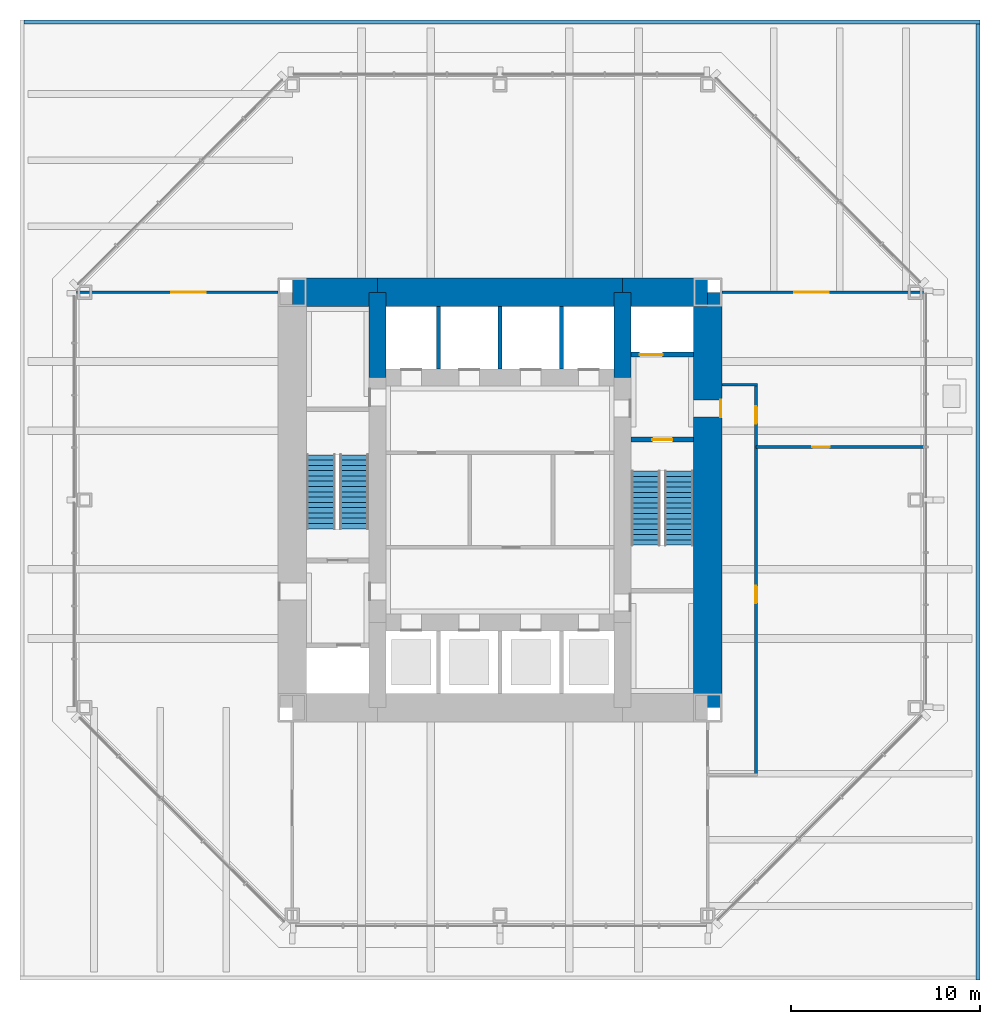
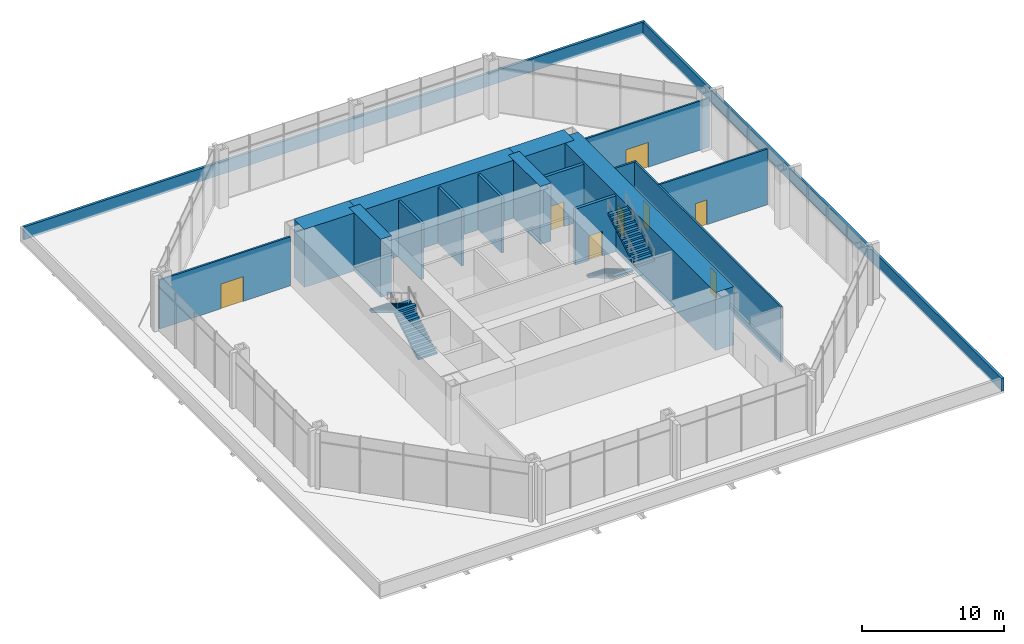
# One storey, part 9 of 11: 18 walls, 8 doors, 4 stair flights, 8 openings, 2 elements without a shape of their own.
"""IFC4 building model written with IfcOpenShell, lengths in metres."""

import ifcopenshell
import ifcopenshell.guid

model = None  # the IFC model being written
_history = None  # IfcOwnerHistory: only IFC2X3 demands one
_inside = {}  # id of a spatial element -> (the spatial element, [elements in it])
_under = {}  # id of a project, library or spatial element -> (it, [spatial elements below it])
_declared = {}  # id of a project -> (the project, [libraries it declares])
_typed = {}  # id of a type object -> (the type object, [elements of that type])
_made_of = {}  # id of a material, layer set ... -> (it, [elements and type objects made of it])


def new_model(schema):
    """Start an empty IFC model of exactly this schema.

    Asked for "IFC4X3", IfcOpenShell would pick the latest addendum, in which some entities
    have other attributes; the version numbers below select the first issue.
    IFC2X3 requires an IfcOwnerHistory on every rooted entity: one is made here for all.
    """
    global model, _history
    if schema == "IFC4X3":
        model = ifcopenshell.file(schema_version=(4, 3, 0, 0))
    else:
        model = ifcopenshell.file(schema=schema)
    _inside.clear()
    _under.clear()
    _declared.clear()
    _typed.clear()
    _made_of.clear()
    _history = None
    if model.schema == "IFC2X3":
        org = make("IfcOrganization", Name="unknown")
        user = make(
            "IfcPersonAndOrganization",
            ThePerson=make("IfcPerson", FamilyName="unknown"),
            TheOrganization=org,
        )
        app = make(
            "IfcApplication",
            ApplicationDeveloper=org,
            Version="unknown",
            ApplicationFullName="unknown",
            ApplicationIdentifier="unknown",
        )
        _history = make(
            "IfcOwnerHistory",
            OwningUser=user,
            OwningApplication=app,
            ChangeAction="ADDED",
            CreationDate=0,
        )
    return model


def make(cls, **values):
    """One entity of the class cls with the attributes given. An attribute that is None is left unset."""
    return model.create_entity(
        cls, **{name: value for name, value in values.items() if value is not None}
    )


def rooted(cls, **values):
    """An entity with a GlobalId (a new one), such as an element, a storey or a relation."""
    return make(cls, GlobalId=ifcopenshell.guid.new(), OwnerHistory=_history, **values)


def si_unit(unit_type, name, prefix=None):
    """IfcSIUnit, for example si_unit("LENGTHUNIT", "METRE", prefix="MILLI")."""
    return make("IfcSIUnit", UnitType=unit_type, Prefix=prefix, Name=name)


def assignment(units):
    """IfcUnitAssignment: the units of a project."""
    return None if units is None else make("IfcUnitAssignment", Units=units)


def point(xyz):
    """IfcCartesianPoint."""
    return None if xyz is None else make("IfcCartesianPoint", Coordinates=xyz)


def direction(xyz):
    """IfcDirection."""
    return None if xyz is None else make("IfcDirection", DirectionRatios=xyz)


def frame(location, z_axis=None, x_axis=None):
    """IfcAxis2Placement3D, a coordinate frame: its origin and axes. An axis left out is left unset."""
    return make(
        "IfcAxis2Placement3D",
        Location=point(location),
        Axis=direction(z_axis),
        RefDirection=direction(x_axis),
    )


def frame_2d(location, x_axis=None):
    """IfcAxis2Placement2D, a coordinate frame in the plane: its origin and x axis."""
    return make(
        "IfcAxis2Placement2D", Location=point(location), RefDirection=direction(x_axis)
    )


def origin():
    """The frame at (0, 0, 0) with its axes left unset."""
    return frame((0.0, 0.0, 0.0))


def place(relative_to, where):
    """IfcLocalPlacement: puts the frame where relative to a parent placement (None: the world)."""
    return make(
        "IfcLocalPlacement", PlacementRelTo=relative_to, RelativePlacement=where
    )


def context(
    kind, dimensions, precision=None, world=None, true_north=None, identifier=None
):
    """IfcGeometricRepresentationContext, for example the 3D "Model" context."""
    return make(
        "IfcGeometricRepresentationContext",
        ContextIdentifier=identifier,
        ContextType=kind,
        CoordinateSpaceDimension=dimensions,
        Precision=precision,
        WorldCoordinateSystem=world,
        TrueNorth=true_north,
    )


def subcontext(parent, identifier, kind, view, scale=None):
    """IfcGeometricRepresentationSubContext, for example "Body" below "Model"."""
    return make(
        "IfcGeometricRepresentationSubContext",
        ContextIdentifier=identifier,
        ContextType=kind,
        ParentContext=parent,
        TargetScale=scale,
        TargetView=view,
    )


def project(units=None, contexts=None):
    """IfcProject with its units and contexts."""
    return rooted(
        "IfcProject",
        Name="project",
        RepresentationContexts=contexts,
        UnitsInContext=assignment(units),
    )


def spatial(cls, under=None, at=None, **own):
    """A site, building, storey or space (cls), placed at a placement, below another one or the project."""
    s = rooted(cls, ObjectPlacement=at, **own)
    if under is not None:
        _under.setdefault(under.id(), (under, []))[1].append(s)
    return s


def polyline(points):
    """IfcPolyline through the points."""
    return make("IfcPolyline", Points=[point(p) for p in points])


def profile(cls, at=None, kind="AREA", **sizes):
    """A parametric profile (cls). Its sizes go by their IFC names, for example OverallWidth=200.0."""
    return make(cls, ProfileType=kind, Position=at, **sizes)


def rectangle(**sizes):
    """IfcRectangleProfileDef."""
    return profile("IfcRectangleProfileDef", **sizes)


def outline(outer, holes=None, kind="AREA"):
    """IfcArbitraryClosedProfileDef: a profile drawn as a closed curve; with holes, ...WithVoids."""
    if holes is None:
        return make("IfcArbitraryClosedProfileDef", ProfileType=kind, OuterCurve=outer)
    return make(
        "IfcArbitraryProfileDefWithVoids",
        ProfileType=kind,
        OuterCurve=outer,
        InnerCurves=holes,
    )


def extrude(swept, where, along, depth):
    """IfcExtrudedAreaSolid: the profile swept, set in the frame where, extruded along a direction by depth."""
    return make(
        "IfcExtrudedAreaSolid",
        SweptArea=swept,
        Position=where,
        ExtrudedDirection=direction(along),
        Depth=depth,
    )


def shape(context_of_items, identifier, shape_type, items):
    """IfcShapeRepresentation: the items that make up one representation, for example the "Body"."""
    return make(
        "IfcShapeRepresentation",
        ContextOfItems=context_of_items,
        RepresentationIdentifier=identifier,
        RepresentationType=shape_type,
        Items=items,
    )


def material(Name=None, Category=None):
    """IfcMaterial."""
    return make("IfcMaterial", Name=Name, Category=Category)


def layer(
    of_material, thickness, ventilated=None, Name=None, Category=None, Priority=None
):
    """IfcMaterialLayer: one layer of a wall or slab, of a material (None: an air gap)."""
    return make(
        "IfcMaterialLayer",
        Material=of_material,
        LayerThickness=thickness,
        IsVentilated=ventilated,
        Name=Name,
        Category=Category,
        Priority=Priority,
    )


def layer_set(layers, Name=None):
    """IfcMaterialLayerSet."""
    return make("IfcMaterialLayerSet", MaterialLayers=layers, LayerSetName=Name)


def made_of(thing, what):
    """Note that an element or type object is made of a material, layer set ...; save() writes the relation."""
    if what is not None:
        _made_of.setdefault(what.id(), (what, []))[1].append(thing)
    return thing


def type_object(cls, material=None, **own):
    """A type object (cls), such as IfcWallType, which elements share."""
    return made_of(rooted(cls, **own), material)


def element(
    cls,
    number,
    at=None,
    inside=None,
    cuts=None,
    type_object=None,
    material=None,
    context=None,
    identifier="Body",
    shape_type=None,
    held_by="IfcProductDefinitionShape",
    body=None,
    shapes=None,
    **own,
):
    """One element of the class cls, such as IfcWall. Its Tag is "e" and its number.

    at: its placement. inside: the storey or other place that contains it. cuts: it is an
    opening in that element (IfcRelVoidsElement). A single representation is given by context,
    identifier, shape_type and body (its items); several are given by shapes. held_by: the class
    of the entity that holds the representations. save() writes the other relations.
    """
    e = rooted(cls, Tag="e%d" % number, ObjectPlacement=at, **own)
    if body is not None:
        shapes = [shape(context, identifier, shape_type, body)]
    if shapes is not None:
        e.Representation = make(held_by, Representations=shapes)
    if inside is not None:
        _inside.setdefault(inside.id(), (inside, []))[1].append(e)
    if cuts is not None:
        rooted(
            "IfcRelVoidsElement", RelatingBuildingElement=cuts, RelatedOpeningElement=e
        )
    if type_object is not None:
        _typed.setdefault(type_object.id(), (type_object, []))[1].append(e)
    return made_of(e, material)


def fill(opening, filler):
    """IfcRelFillsElement: the door or window that sits in an opening."""
    return rooted(
        "IfcRelFillsElement",
        RelatingOpeningElement=opening,
        RelatedBuildingElement=filler,
    )


def aggregate(whole, parts):
    """IfcRelAggregates: a whole, such as a stair, and the parts it consists of."""
    return rooted("IfcRelAggregates", RelatingObject=whole, RelatedObjects=parts)


def save(model, path):
    """Write the relations noted so far, then the file.

    IfcRelAggregates (storeys below a building ...), IfcRelContainedInSpatialStructure (elements
    in a storey), IfcRelDefinesByType, IfcRelAssociatesMaterial and IfcRelDeclares: one each for
    every whole, place, type object, material and project.
    """
    for whole, parts in _under.values():
        aggregate(whole, parts)
    for where, things in _inside.values():
        rooted(
            "IfcRelContainedInSpatialStructure",
            RelatedElements=things,
            RelatingStructure=where,
        )
    for kind, things in _typed.values():
        rooted("IfcRelDefinesByType", RelatedObjects=things, RelatingType=kind)
    for what, things in _made_of.values():
        rooted("IfcRelAssociatesMaterial", RelatedObjects=things, RelatingMaterial=what)
    for by, libraries in _declared.values():
        rooted("IfcRelDeclares", RelatingContext=by, RelatedDefinitions=libraries)
    model.write(path)


model = new_model("IFC4")

# Units and contexts
model_context = context("Model", 3, precision=1e-05, world=origin(), true_north=direction((0.0, 1.0)))
body_context = subcontext(model_context, "Body", "Model", "MODEL_VIEW")
ifc_project = project(units=[si_unit("LENGTHUNIT", "METRE"), si_unit("AREAUNIT", "SQUARE_METRE"), si_unit("VOLUMEUNIT", "CUBIC_METRE"), si_unit("PLANEANGLEUNIT", "RADIAN"), si_unit("MASSUNIT", "GRAM", prefix="KILO")], contexts=[model_context])

# Site, building, storey
site_placement = place(None, origin())
site = spatial("IfcSite", under=ifc_project, at=site_placement, CompositionType="ELEMENT")
building_placement = place(site_placement, origin())
building = spatial("IfcBuilding", under=site, at=building_placement, Name="Trevanion Tower", CompositionType="ELEMENT")
storey_placement = place(building_placement, frame((0.0, 0.0, 95.800048828125)))
storey = spatial("IfcBuildingStorey", under=building, at=storey_placement, Name="L22", CompositionType="ELEMENT", Elevation=95.800048828125)

# Wall, opening, door
ifc_material_1 = material(Name="Concrete 10,000 psi", Category="concrete")
ifc_layer_1 = layer(ifc_material_1, 1.5)
ifc_layer_set_1 = layer_set([ifc_layer_1], Name="CW1 core wall 1500")
wall_type_1 = type_object("IfcWallType", Name="CW1 core wall 1500", PredefinedType="SHEAR", material=ifc_layer_set_1)
wall_1_placement = place(storey_placement, frame((11.0, -11.0, 0.0), z_axis=(0.0, 0.0, 1.0), x_axis=(0.0, 1.0, 0.0)))
wall_1 = element("IfcWall", 1, at=wall_1_placement, inside=storey, type_object=wall_type_1, Name="CW1 CE L22", PredefinedType="SHEAR", context=body_context, shape_type="SweptSolid", body=[
    extrude(rectangle(XDim=22.0, YDim=1.5, at=frame_2d((11.0, 0.0))), origin(), (0.0, 0.0, 1.0), 5.0),
])
opening_1_placement = place(wall_1_placement, frame((15.392578125, 0.0, 0.0)))
opening_1 = element("IfcOpeningElement", 2, at=opening_1_placement, cuts=wall_1, Name="Opening 22-001", PredefinedType="OPENING", context=body_context, shape_type="SweptSolid", body=[
    extrude(rectangle(XDim=0.9150390625, YDim=2.134033203125, at=frame_2d((0.45751953125, 1.06689453125))), frame((0.0, 0.760009765625, 0.0), z_axis=(0.0, -1.0, 0.0), x_axis=(1.0, 0.0, 0.0)), (0.0, 0.0, 1.0), 1.52001953125),
])
ifc_material_2 = material(Name="Hollow metal, fire rated", Category="steel")
door_type_1 = type_object("IfcDoorType", Name="D3 fire lift lobby door", OperationType="SINGLE_SWING_RIGHT", PredefinedType="DOOR", material=ifc_material_2)
door_1_placement = place(opening_1_placement, origin())
door_1 = element("IfcDoor", 3, at=door_1_placement, inside=storey, type_object=door_type_1, Name="Door 22-001", OperationType="SINGLE_SWING_RIGHT", OverallHeight=2.134033203125, OverallWidth=0.9150390625, PredefinedType="DOOR", context=body_context, shape_type="SweptSolid", body=[
    extrude(rectangle(XDim=0.9150390625, YDim=2.134033203125, at=frame_2d((0.45751953125, 1.06689453125))), frame((0.0, -0.6748046875, 0.0), z_axis=(0.0, -1.0, 0.0), x_axis=(1.0, 0.0, 0.0)), (0.0, 0.0, 1.0), 0.050048828125),
])
fill(opening_1, door_1)

# Walls
wall_2_placement = place(storey_placement, frame((11.0, 11.0, 0.0), z_axis=(0.0, 0.0, 1.0), x_axis=(-1.0, 0.0, 0.0)))
element("IfcWall", 4, at=wall_2_placement, inside=storey, type_object=wall_type_1, Name="CW1 CN1 L22", PredefinedType="SHEAR", context=body_context, shape_type="SweptSolid", body=[
    extrude(rectangle(XDim=4.5, YDim=1.5, at=frame_2d((2.25, 0.0))), origin(), (0.0, 0.0, 1.0), 5.0),
])
wall_3_placement = place(storey_placement, frame((6.5, 11.0, 0.0), z_axis=(0.0, 0.0, 1.0), x_axis=(-1.0, 0.0, 0.0)))
element("IfcWall", 5, at=wall_3_placement, inside=storey, type_object=wall_type_1, Name="CW1 CN2 L22", PredefinedType="SHEAR", context=body_context, shape_type="SweptSolid", body=[
    extrude(rectangle(XDim=13.0, YDim=1.5, at=frame_2d((6.5, 0.0))), origin(), (0.0, 0.0, 1.0), 5.0),
])
wall_4_placement = place(storey_placement, frame((-6.5, 11.0, 0.0), z_axis=(0.0, 0.0, 1.0), x_axis=(-1.0, 0.0, 0.0)))
element("IfcWall", 6, at=wall_4_placement, inside=storey, type_object=wall_type_1, Name="CW1 CN3 L22", PredefinedType="SHEAR", context=body_context, shape_type="SweptSolid", body=[
    extrude(rectangle(XDim=4.5, YDim=1.5, at=frame_2d((2.25, 0.0))), origin(), (0.0, 0.0, 1.0), 5.0),
])
ifc_material_3 = material(Name="Concrete 10,000 psi", Category="concrete")
ifc_layer_2 = layer(ifc_material_3, 0.89990234375)
ifc_layer_set_2 = layer_set([ifc_layer_2], Name="CW2 core wall 900")
wall_type_2 = type_object("IfcWallType", Name="CW2 core wall 900", PredefinedType="SHEAR", material=ifc_layer_set_2)
for number, where, z_axis, x_axis, name in (
    (7, (6.5, 6.5, 0.0), (0.0, 0.0, 1.0), (0.0, 1.0, 0.0), "CW2 RE3 L22"),
    (8, (-6.5, 11.0, 0.0), (0.0, 0.0, 1.0), (0.0, -1.0, 0.0), "CW2 RW1 L22"),
):
    element("IfcWall", number, at=place(storey_placement, frame(where, z_axis=z_axis, x_axis=x_axis)), inside=storey, type_object=wall_type_2, Name=name, PredefinedType="SHEAR", context=body_context, shape_type="SweptSolid", body=[
        extrude(rectangle(XDim=4.5, YDim=0.89990234375, at=frame_2d((2.25, 0.0))), origin(), (0.0, 0.0, 1.0), 5.0),
    ])
ifc_material_4 = material(Name="Reinforced concrete parapet faced in bronze metal coping", Category="concrete")
ifc_layer_3 = layer(ifc_material_4, 0.199951171875)
ifc_layer_set_3 = layer_set([ifc_layer_3], Name="PP1 parapet 200")
wall_type_3 = type_object("IfcWallType", Name="PP1 parapet 200", PredefinedType="PARAPET", material=ifc_layer_set_3)
for number, where, z_axis, x_axis, name in (
    (9, (-25.219970703125, 25.320068359375, 0.0), (0.0, 0.0, 1.0), (1.0, 0.0, 0.0), "PP1 L22 3"),
    (10, (25.320068359375, 25.219970703125, 0.0), (0.0, 0.0, 1.0), (0.0, -1.0, 0.0), "PP1 L22 4"),
):
    element("IfcWall", number, at=place(storey_placement, frame(where, z_axis=z_axis, x_axis=x_axis)), inside=storey, type_object=wall_type_3, Name=name, PredefinedType="PARAPET", context=body_context, shape_type="SweptSolid", body=[
        extrude(rectangle(XDim=50.639892578125, YDim=0.199951171875, at=frame_2d((25.31982421875, 0.0))), origin(), (0.0, 0.0, 1.0), 1.099853515625),
    ])

# Wall, opening, door
ifc_material_5 = material(Name="Gypsum board on steel studs", Category="steel")
ifc_layer_4 = layer(ifc_material_5, 0.14990234375)
ifc_layer_set_4 = layer_set([ifc_layer_4], Name="PT1 partition 150")
wall_type_4 = type_object("IfcWallType", Name="PT1 partition 150", PredefinedType="PARTITIONING", material=ifc_layer_set_4)
wall_5_placement = place(storey_placement, frame((11.75, 11.0, 0.0), z_axis=(0.0, 0.0, 1.0), x_axis=(1.0, 0.0, 0.0)))
wall_5 = element("IfcWall", 11, at=wall_5_placement, inside=storey, type_object=wall_type_4, Name="PT1 L22 SL3", PredefinedType="PARTITIONING", context=body_context, shape_type="SweptSolid", body=[
    extrude(rectangle(XDim=10.6650390625, YDim=0.14990234375, at=frame_2d((5.33251953125, 0.0))), origin(), (0.0, 0.0, 1.0), 4.225830078125),
])
opening_2_placement = place(wall_5_placement, frame((3.8349609375, 0.0, 0.0)))
opening_2 = element("IfcOpeningElement", 12, at=opening_2_placement, cuts=wall_5, Name="Opening 22-024", PredefinedType="OPENING", context=body_context, shape_type="SweptSolid", body=[
    extrude(rectangle(XDim=1.830078125, YDim=2.134033203125, at=frame_2d((0.9150390625, 1.06689453125))), frame((0.0, 0.0849609375, 0.0), z_axis=(0.0, -1.0, 0.0), x_axis=(1.0, 0.0, 0.0)), (0.0, 0.0, 1.0), 0.169921875),
])
ifc_material_6 = material(Name="Timber veneer, solid core", Category="wood")
door_type_2 = type_object("IfcDoorType", Name="D20 lounge double door", OperationType="DOUBLE_DOOR_DOUBLE_SWING", PredefinedType="DOOR", material=ifc_material_6)
door_2_placement = place(opening_2_placement, origin())
door_2 = element("IfcDoor", 13, at=door_2_placement, inside=storey, type_object=door_type_2, Name="Door 22-024", OperationType="DOUBLE_DOOR_DOUBLE_SWING", OverallHeight=2.134033203125, OverallWidth=1.830078125, PredefinedType="DOOR", context=body_context, shape_type="SweptSolid", body=[
    extrude(rectangle(XDim=1.830078125, YDim=2.134033203125, at=frame_2d((0.9150390625, 1.06689453125))), frame((0.0, 0.02490234375, 0.0), z_axis=(0.0, -1.0, 0.0), x_axis=(1.0, 0.0, 0.0)), (0.0, 0.0, 1.0), 0.050048828125),
])
fill(opening_2, door_2)

wall_6_placement = place(storey_placement, frame((-11.75, 11.0, 0.0), z_axis=(0.0, 0.0, 1.0), x_axis=(-1.0, 0.0, 0.0)))
wall_6 = element("IfcWall", 14, at=wall_6_placement, inside=storey, type_object=wall_type_4, Name="PT1 L22 SL4", PredefinedType="PARTITIONING", context=body_context, shape_type="SweptSolid", body=[
    extrude(rectangle(XDim=10.6650390625, YDim=0.14990234375, at=frame_2d((5.33251953125, 0.0))), origin(), (0.0, 0.0, 1.0), 4.225830078125),
])
opening_3_placement = place(wall_6_placement, frame((3.8349609375, 0.0, 0.0)))
opening_3 = element("IfcOpeningElement", 15, at=opening_3_placement, cuts=wall_6, Name="Opening 22-025", PredefinedType="OPENING", context=body_context, shape_type="SweptSolid", body=[
    extrude(rectangle(XDim=1.830078125, YDim=2.134033203125, at=frame_2d((0.9150390625, 1.06689453125))), frame((0.0, 0.0849609375, 0.0), z_axis=(0.0, -1.0, 0.0), x_axis=(1.0, 0.0, 0.0)), (0.0, 0.0, 1.0), 0.169921875),
])
door_3_placement = place(opening_3_placement, origin())
door_3 = element("IfcDoor", 16, at=door_3_placement, inside=storey, type_object=door_type_2, Name="Door 22-025", OperationType="DOUBLE_DOOR_DOUBLE_SWING", OverallHeight=2.134033203125, OverallWidth=1.830078125, PredefinedType="DOOR", context=body_context, shape_type="SweptSolid", body=[
    extrude(rectangle(XDim=1.830078125, YDim=2.134033203125, at=frame_2d((0.9150390625, 1.06689453125))), frame((0.0, 0.02490234375, 0.0), z_axis=(0.0, -1.0, 0.0), x_axis=(1.0, 0.0, 0.0)), (0.0, 0.0, 1.0), 0.050048828125),
])
fill(opening_3, door_3)

# Wall, openings, doors
wall_7_placement = place(storey_placement, frame((13.550048828125, -14.550048828125, 0.0), z_axis=(0.0, 0.0, 1.0), x_axis=(0.0, 1.0, 0.0)))
wall_7 = element("IfcWall", 17, at=wall_7_placement, inside=storey, type_object=wall_type_4, Name="PT1 L22 SC1", PredefinedType="PARTITIONING", context=body_context, shape_type="SweptSolid", body=[
    extrude(rectangle(XDim=20.650146484375, YDim=0.14990234375, at=frame_2d((10.3251953125, 0.0))), origin(), (0.0, 0.0, 1.0), 4.81005859375),
])
opening_4_placement = place(wall_7_placement, frame((9.092529296875, 0.0, 0.0)))
opening_4 = element("IfcOpeningElement", 18, at=opening_4_placement, cuts=wall_7, Name="Opening 22-027", PredefinedType="OPENING", context=body_context, shape_type="SweptSolid", body=[
    extrude(rectangle(XDim=0.9150390625, YDim=2.134033203125, at=frame_2d((0.45751953125, 1.06689453125))), frame((0.0, 0.0849609375, 0.0), z_axis=(0.0, -1.0, 0.0), x_axis=(1.0, 0.0, 0.0)), (0.0, 0.0, 1.0), 0.169921875),
])
opening_5_placement = place(wall_7_placement, frame((18.592529296875, 0.0, 0.0)))
opening_5 = element("IfcOpeningElement", 19, at=opening_5_placement, cuts=wall_7, Name="Opening 22-028", PredefinedType="OPENING", context=body_context, shape_type="SweptSolid", body=[
    extrude(rectangle(XDim=0.9150390625, YDim=2.134033203125, at=frame_2d((0.45751953125, 1.06689453125))), frame((0.0, 0.0849609375, 0.0), z_axis=(0.0, -1.0, 0.0), x_axis=(1.0, 0.0, 0.0)), (0.0, 0.0, 1.0), 0.169921875),
])
ifc_material_7 = material(Name="Timber veneer, solid core", Category="wood")
door_type_3 = type_object("IfcDoorType", Name="D1 office and meeting room door", OperationType="SINGLE_SWING_LEFT", PredefinedType="DOOR", material=ifc_material_7)
door_4_placement = place(opening_4_placement, origin())
door_4 = element("IfcDoor", 20, at=door_4_placement, inside=storey, type_object=door_type_3, Name="Door 22-027", OperationType="SINGLE_SWING_LEFT", OverallHeight=2.134033203125, OverallWidth=0.9150390625, PredefinedType="DOOR", context=body_context, shape_type="SweptSolid", body=[
    extrude(rectangle(XDim=0.9150390625, YDim=2.134033203125, at=frame_2d((0.45751953125, 1.06689453125))), frame((0.0, 0.02490234375, 0.0), z_axis=(0.0, -1.0, 0.0), x_axis=(1.0, 0.0, 0.0)), (0.0, 0.0, 1.0), 0.050048828125),
])
fill(opening_4, door_4)
door_5_placement = place(opening_5_placement, origin())
door_5 = element("IfcDoor", 21, at=door_5_placement, inside=storey, type_object=door_type_3, Name="Door 22-028", OperationType="SINGLE_SWING_LEFT", OverallHeight=2.134033203125, OverallWidth=0.9150390625, PredefinedType="DOOR", context=body_context, shape_type="SweptSolid", body=[
    extrude(rectangle(XDim=0.9150390625, YDim=2.134033203125, at=frame_2d((0.45751953125, 1.06689453125))), frame((0.0, 0.02490234375, 0.0), z_axis=(0.0, -1.0, 0.0), x_axis=(1.0, 0.0, 0.0)), (0.0, 0.0, 1.0), 0.050048828125),
])
fill(opening_5, door_5)

# Wall
wall_8_placement = place(storey_placement, frame((11.75, 6.10009765625, 0.0), z_axis=(0.0, 0.0, 1.0), x_axis=(1.0, 0.0, 0.0)))
element("IfcWall", 22, at=wall_8_placement, inside=storey, type_object=wall_type_4, Name="PT1 L22 SC3", PredefinedType="PARTITIONING", context=body_context, shape_type="SweptSolid", body=[
    extrude(rectangle(XDim=1.875, YDim=0.14990234375, at=frame_2d((0.9375, 0.0))), origin(), (0.0, 0.0, 1.0), 4.81005859375),
])

# Wall, opening, door
wall_9_placement = place(storey_placement, frame((13.550048828125, 2.806884765625, 0.0), z_axis=(0.0, 0.0, 1.0), x_axis=(1.0, 0.0, 0.0)))
wall_9 = element("IfcWall", 23, at=wall_9_placement, inside=storey, type_object=wall_type_4, Name="PT1 L22 SL5", PredefinedType="PARTITIONING", context=body_context, shape_type="SweptSolid", body=[
    extrude(rectangle(XDim=8.864990234375, YDim=0.14990234375, at=frame_2d((4.4326171875, 0.0))), origin(), (0.0, 0.0, 1.0), 4.81005859375),
])
opening_6_placement = place(wall_9_placement, frame((2.992431640625, 0.0, 0.0)))
opening_6 = element("IfcOpeningElement", 24, at=opening_6_placement, cuts=wall_9, Name="Opening 22-029", PredefinedType="OPENING", context=body_context, shape_type="SweptSolid", body=[
    extrude(rectangle(XDim=0.9150390625, YDim=2.134033203125, at=frame_2d((0.45751953125, 1.06689453125))), frame((0.0, 0.0849609375, 0.0), z_axis=(0.0, -1.0, 0.0), x_axis=(1.0, 0.0, 0.0)), (0.0, 0.0, 1.0), 0.169921875),
])
door_6_placement = place(opening_6_placement, origin())
door_6 = element("IfcDoor", 25, at=door_6_placement, inside=storey, type_object=door_type_3, Name="Door 22-029", OperationType="SINGLE_SWING_LEFT", OverallHeight=2.134033203125, OverallWidth=0.9150390625, PredefinedType="DOOR", context=body_context, shape_type="SweptSolid", body=[
    extrude(rectangle(XDim=0.9150390625, YDim=2.134033203125, at=frame_2d((0.45751953125, 1.06689453125))), frame((0.0, 0.02490234375, 0.0), z_axis=(0.0, -1.0, 0.0), x_axis=(1.0, 0.0, 0.0)), (0.0, 0.0, 1.0), 0.050048828125),
])
fill(opening_6, door_6)

# Walls
ifc_material_8 = material(Name="Concrete masonry, grouted", Category="masonry")
ifc_layer_5 = layer(ifc_material_8, 0.199951171875)
ifc_layer_set_5 = layer_set([ifc_layer_5], Name="PT2 partition 200 2 HR")
wall_type_5 = type_object("IfcWallType", Name="PT2 partition 200 2 HR", PredefinedType="PARTITIONING", material=ifc_layer_set_5)
for number, where, z_axis, x_axis, name in (
    (26, (-3.25, 6.949951171875, 0.0), (0.0, 0.0, 1.0), (0.0, 1.0, 0.0), "PT2 L22 NS0"),
    (27, (0.0, 6.949951171875, 0.0), (0.0, 0.0, 1.0), (0.0, 1.0, 0.0), "PT2 L22 NS1"),
    (28, (3.25, 6.949951171875, 0.0), (0.0, 0.0, 1.0), (0.0, 1.0, 0.0), "PT2 L22 NS2"),
):
    element("IfcWall", number, at=place(storey_placement, frame(where, z_axis=z_axis, x_axis=x_axis)), inside=storey, type_object=wall_type_5, Name=name, PredefinedType="PARTITIONING", context=body_context, shape_type="SweptSolid", body=[
        extrude(rectangle(XDim=3.300048828125, YDim=0.199951171875, at=frame_2d((1.64990234375, 0.0))), origin(), (0.0, 0.0, 1.0), 4.81005859375),
    ])

# Wall, opening, door
ifc_material_9 = material(Name="Concrete masonry, grouted, two-hour", Category="masonry")
ifc_layer_6 = layer(ifc_material_9, 0.25)
ifc_layer_set_6 = layer_set([ifc_layer_6], Name="PT3 partition 250 2 HR")
wall_type_6 = type_object("IfcWallType", Name="PT3 partition 250 2 HR", PredefinedType="PARTITIONING", material=ifc_layer_set_6)
wall_10_placement = place(storey_placement, frame((6.949951171875, 7.699951171875, 0.0), z_axis=(0.0, 0.0, 1.0), x_axis=(1.0, 0.0, 0.0)))
wall_10 = element("IfcWall", 29, at=wall_10_placement, inside=storey, type_object=wall_type_6, Name="PT3 L22 EP3", PredefinedType="PARTITIONING", context=body_context, shape_type="SweptSolid", body=[
    extrude(rectangle(XDim=3.300048828125, YDim=0.25, at=frame_2d((1.64990234375, 0.0))), origin(), (0.0, 0.0, 1.0), 4.81005859375),
])
opening_7_placement = place(wall_10_placement, frame((0.449951171875, 0.0, 0.0)))
opening_7 = element("IfcOpeningElement", 30, at=opening_7_placement, cuts=wall_10, Name="Opening 22-007", PredefinedType="OPENING", context=body_context, shape_type="SweptSolid", body=[
    extrude(rectangle(XDim=1.218994140625, YDim=2.134033203125, at=frame_2d((0.609375, 1.06689453125))), frame((0.0, 0.135009765625, 0.0), z_axis=(0.0, -1.0, 0.0), x_axis=(1.0, 0.0, 0.0)), (0.0, 0.0, 1.0), 0.27001953125),
])
ifc_material_10 = material(Name="Stainless steel, fire rated", Category="steel")
door_type_4 = type_object("IfcDoorType", Name="LD2 fire service lift landing door", OperationType="SLIDING_TO_LEFT", PredefinedType="DOOR", material=ifc_material_10)
door_7_placement = place(opening_7_placement, origin())
door_7 = element("IfcDoor", 31, at=door_7_placement, inside=storey, type_object=door_type_4, Name="Door 22-007", OperationType="SLIDING_TO_LEFT", OverallHeight=2.134033203125, OverallWidth=1.218994140625, PredefinedType="DOOR", context=body_context, shape_type="SweptSolid", body=[
    extrude(rectangle(XDim=1.218994140625, YDim=2.134033203125, at=frame_2d((0.609375, 1.06689453125))), frame((0.0, 0.02490234375, 0.0), z_axis=(0.0, -1.0, 0.0), x_axis=(1.0, 0.0, 0.0)), (0.0, 0.0, 1.0), 0.050048828125),
])
fill(opening_7, door_7)

ifc_material_11 = material(Name="Reinforced masonry, fully grouted", Category="masonry")
ifc_layer_7 = layer(ifc_material_11, 0.25)
ifc_layer_set_7 = layer_set([ifc_layer_7], Name="SW1 stair shaft wall 250")
wall_type_7 = type_object("IfcWallType", Name="SW1 stair shaft wall 250", PredefinedType="SOLIDWALL", material=ifc_layer_set_7)
wall_11_placement = place(storey_placement, frame((6.949951171875, 3.199951171875, 0.0), z_axis=(0.0, 0.0, 1.0), x_axis=(1.0, 0.0, 0.0)))
wall_11 = element("IfcWall", 32, at=wall_11_placement, inside=storey, type_object=wall_type_7, Name="SW1 L22 EP2", PredefinedType="SOLIDWALL", context=body_context, shape_type="SweptSolid", body=[
    extrude(rectangle(XDim=3.300048828125, YDim=0.25, at=frame_2d((1.64990234375, 0.0))), origin(), (0.0, 0.0, 1.0), 4.81005859375),
])
opening_8_placement = place(wall_11_placement, frame((1.116455078125, 0.0, 0.0)))
opening_8 = element("IfcOpeningElement", 33, at=opening_8_placement, cuts=wall_11, Name="Opening 22-005", PredefinedType="OPENING", context=body_context, shape_type="SweptSolid", body=[
    extrude(rectangle(XDim=1.06689453125, YDim=2.134033203125, at=frame_2d((0.533447265625, 1.06689453125))), frame((0.0, 0.135009765625, 0.0), z_axis=(0.0, -1.0, 0.0), x_axis=(1.0, 0.0, 0.0)), (0.0, 0.0, 1.0), 0.27001953125),
])
ifc_material_12 = material(Name="Hollow metal, fire rated", Category="steel")
door_type_5 = type_object("IfcDoorType", Name="D2 exit stair door", OperationType="SINGLE_SWING_LEFT", PredefinedType="DOOR", material=ifc_material_12)
door_8_placement = place(opening_8_placement, origin())
door_8 = element("IfcDoor", 34, at=door_8_placement, inside=storey, type_object=door_type_5, Name="Door 22-005", OperationType="SINGLE_SWING_LEFT", OverallHeight=2.134033203125, OverallWidth=1.06689453125, PredefinedType="DOOR", context=body_context, shape_type="SweptSolid", body=[
    extrude(rectangle(XDim=1.06689453125, YDim=2.134033203125, at=frame_2d((0.533447265625, 1.06689453125))), frame((0.0, 0.02490234375, 0.0), z_axis=(0.0, -1.0, 0.0), x_axis=(1.0, 0.0, 0.0)), (0.0, 0.0, 1.0), 0.050048828125),
])
fill(opening_8, door_8)

# Stair, stair flights
ifc_material_13 = material(Name="Concrete 5,000 psi on steel stringers", Category="concrete")
stair_type = type_object("IfcStairType", Name="ST stair", PredefinedType="HALF_TURN_STAIR", material=ifc_material_13)
stair_1_placement = place(storey_placement, origin())
stair_1 = element("IfcStair", 35, at=stair_1_placement, inside=storey, type_object=stair_type, Name="ST1 L22", PredefinedType="HALF_TURN_STAIR")
ifc_material_14 = material(Name="Concrete 5,000 psi in steel pan", Category="concrete")
stair_flight_type = type_object("IfcStairFlightType", Name="STF stair flight", PredefinedType="STRAIGHT", material=ifc_material_14)
stair_flight_1_placement = place(storey_placement, frame((7.72509765625, 1.52490234375, 0.0), z_axis=(0.0, 0.0, 1.0), x_axis=(0.0, -1.0, 0.0)))
stair_flight_1 = element("IfcStairFlight", 36, at=stair_flight_1_placement, type_object=stair_flight_type, Name="ST1 flight 1", NumberOfRisers=15, NumberOfTreads=14, PredefinedType="STRAIGHT", RiserHeight=0.166666667, TreadLength=0.28, context=body_context, shape_type="SweptSolid", body=[
    extrude(outline(polyline([(0.0, 0.0), (0.0, 0.166748046875), (0.280029296875, 0.166748046875), (0.280029296875, 0.333251953125), (0.56005859375, 0.333251953125), (0.56005859375, 0.5), (0.840087890625, 0.5), (0.840087890625, 0.666748046875), (1.1201171875, 0.666748046875), (1.1201171875, 0.833251953125), (1.39990234375, 0.833251953125), (1.39990234375, 1.0), (1.679931640625, 1.0), (1.679931640625, 1.166748046875), (1.9599609375, 1.166748046875), (1.9599609375, 1.333251953125), (2.239990234375, 1.333251953125), (2.239990234375, 1.5), (2.52001953125, 1.5), (2.52001953125, 1.666748046875), (2.800048828125, 1.666748046875), (2.800048828125, 1.833251953125), (3.080078125, 1.833251953125), (3.080078125, 2.0), (3.360107421875, 2.0), (3.360107421875, 2.166748046875), (3.639892578125, 2.166748046875), (3.639892578125, 2.333251953125), (3.919921875, 2.333251953125), (3.919921875, 2.5), (3.919921875, 2.158935546875), (0.29296875, 0.0), (0.0, 0.0)])), frame((0.0, 0.77490234375, 0.0), z_axis=(0.0, -1.0, 0.0), x_axis=(1.0, 0.0, 0.0)), (0.0, 0.0, 1.0), 1.550048828125),
])
stair_flight_2_placement = place(storey_placement, frame((9.47509765625, -2.39501953125, 2.5), z_axis=(0.0, 0.0, 1.0), x_axis=(0.0, 1.0, 0.0)))
stair_flight_2 = element("IfcStairFlight", 37, at=stair_flight_2_placement, type_object=stair_flight_type, Name="ST1 flight 2", NumberOfRisers=15, NumberOfTreads=14, PredefinedType="STRAIGHT", RiserHeight=0.166666667, TreadLength=0.28, context=body_context, shape_type="SweptSolid", body=[
    extrude(outline(polyline([(0.0, 0.0), (0.0, 0.166748046875), (0.280029296875, 0.166748046875), (0.280029296875, 0.333251953125), (0.56005859375, 0.333251953125), (0.56005859375, 0.5), (0.840087890625, 0.5), (0.840087890625, 0.666748046875), (1.1201171875, 0.666748046875), (1.1201171875, 0.833251953125), (1.39990234375, 0.833251953125), (1.39990234375, 1.0), (1.679931640625, 1.0), (1.679931640625, 1.166748046875), (1.9599609375, 1.166748046875), (1.9599609375, 1.333251953125), (2.239990234375, 1.333251953125), (2.239990234375, 1.5), (2.52001953125, 1.5), (2.52001953125, 1.666748046875), (2.800048828125, 1.666748046875), (2.800048828125, 1.833251953125), (3.080078125, 1.833251953125), (3.080078125, 2.0), (3.360107421875, 2.0), (3.360107421875, 2.166748046875), (3.639892578125, 2.166748046875), (3.639892578125, 2.333251953125), (3.919921875, 2.333251953125), (3.919921875, 2.5), (3.919921875, 2.158935546875), (0.29296875, 0.0), (0.0, 0.0)])), frame((0.0, 0.77490234375, 0.0), z_axis=(0.0, -1.0, 0.0), x_axis=(1.0, 0.0, 0.0)), (0.0, 0.0, 1.0), 1.550048828125),
])
aggregate(stair_1, [stair_flight_1, stair_flight_2])

stair_2_placement = place(storey_placement, origin())
stair_2 = element("IfcStair", 38, at=stair_2_placement, inside=storey, type_object=stair_type, Name="ST2 L22", PredefinedType="HALF_TURN_STAIR")
stair_flight_3_placement = place(storey_placement, frame((-7.72509765625, -1.52490234375, 0.0), z_axis=(0.0, 0.0, 1.0), x_axis=(0.0, 1.0, 0.0)))
stair_flight_3 = element("IfcStairFlight", 39, at=stair_flight_3_placement, type_object=stair_flight_type, Name="ST2 flight 1", NumberOfRisers=15, NumberOfTreads=14, PredefinedType="STRAIGHT", RiserHeight=0.166666667, TreadLength=0.28, context=body_context, shape_type="SweptSolid", body=[
    extrude(outline(polyline([(0.0, 0.0), (0.0, 0.166748046875), (0.280029296875, 0.166748046875), (0.280029296875, 0.333251953125), (0.56005859375, 0.333251953125), (0.56005859375, 0.5), (0.840087890625, 0.5), (0.840087890625, 0.666748046875), (1.1201171875, 0.666748046875), (1.1201171875, 0.833251953125), (1.39990234375, 0.833251953125), (1.39990234375, 1.0), (1.679931640625, 1.0), (1.679931640625, 1.166748046875), (1.9599609375, 1.166748046875), (1.9599609375, 1.333251953125), (2.239990234375, 1.333251953125), (2.239990234375, 1.5), (2.52001953125, 1.5), (2.52001953125, 1.666748046875), (2.800048828125, 1.666748046875), (2.800048828125, 1.833251953125), (3.080078125, 1.833251953125), (3.080078125, 2.0), (3.360107421875, 2.0), (3.360107421875, 2.166748046875), (3.639892578125, 2.166748046875), (3.639892578125, 2.333251953125), (3.919921875, 2.333251953125), (3.919921875, 2.5), (3.919921875, 2.158935546875), (0.29296875, 0.0), (0.0, 0.0)])), frame((0.0, 0.77490234375, 0.0), z_axis=(0.0, -1.0, 0.0), x_axis=(1.0, 0.0, 0.0)), (0.0, 0.0, 1.0), 1.550048828125),
])
stair_flight_4_placement = place(storey_placement, frame((-9.47509765625, 2.39501953125, 2.5), z_axis=(0.0, 0.0, 1.0), x_axis=(0.0, -1.0, 0.0)))
stair_flight_4 = element("IfcStairFlight", 40, at=stair_flight_4_placement, type_object=stair_flight_type, Name="ST2 flight 2", NumberOfRisers=15, NumberOfTreads=14, PredefinedType="STRAIGHT", RiserHeight=0.166666667, TreadLength=0.28, context=body_context, shape_type="SweptSolid", body=[
    extrude(outline(polyline([(0.0, 0.0), (0.0, 0.166748046875), (0.280029296875, 0.166748046875), (0.280029296875, 0.333251953125), (0.56005859375, 0.333251953125), (0.56005859375, 0.5), (0.840087890625, 0.5), (0.840087890625, 0.666748046875), (1.1201171875, 0.666748046875), (1.1201171875, 0.833251953125), (1.39990234375, 0.833251953125), (1.39990234375, 1.0), (1.679931640625, 1.0), (1.679931640625, 1.166748046875), (1.9599609375, 1.166748046875), (1.9599609375, 1.333251953125), (2.239990234375, 1.333251953125), (2.239990234375, 1.5), (2.52001953125, 1.5), (2.52001953125, 1.666748046875), (2.800048828125, 1.666748046875), (2.800048828125, 1.833251953125), (3.080078125, 1.833251953125), (3.080078125, 2.0), (3.360107421875, 2.0), (3.360107421875, 2.166748046875), (3.639892578125, 2.166748046875), (3.639892578125, 2.333251953125), (3.919921875, 2.333251953125), (3.919921875, 2.5), (3.919921875, 2.158935546875), (0.29296875, 0.0), (0.0, 0.0)])), frame((0.0, 0.77490234375, 0.0), z_axis=(0.0, -1.0, 0.0), x_axis=(1.0, 0.0, 0.0)), (0.0, 0.0, 1.0), 1.550048828125),
])
aggregate(stair_2, [stair_flight_3, stair_flight_4])

save(model, "model.ifc")
